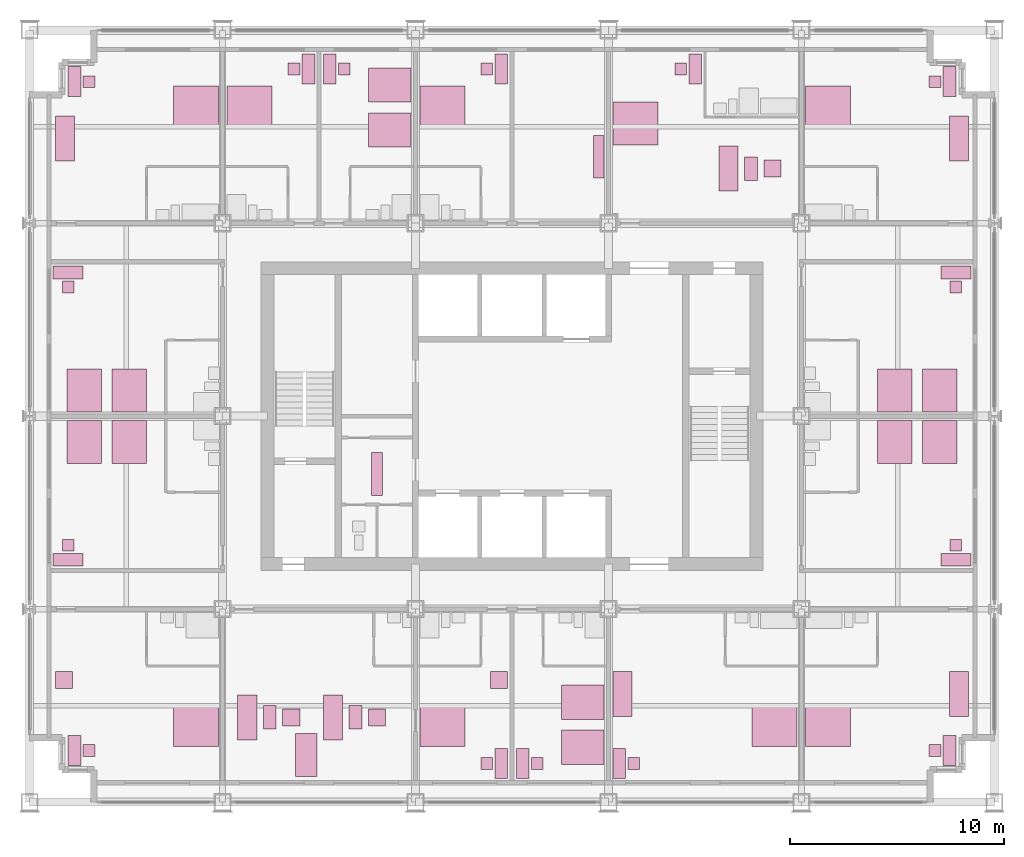
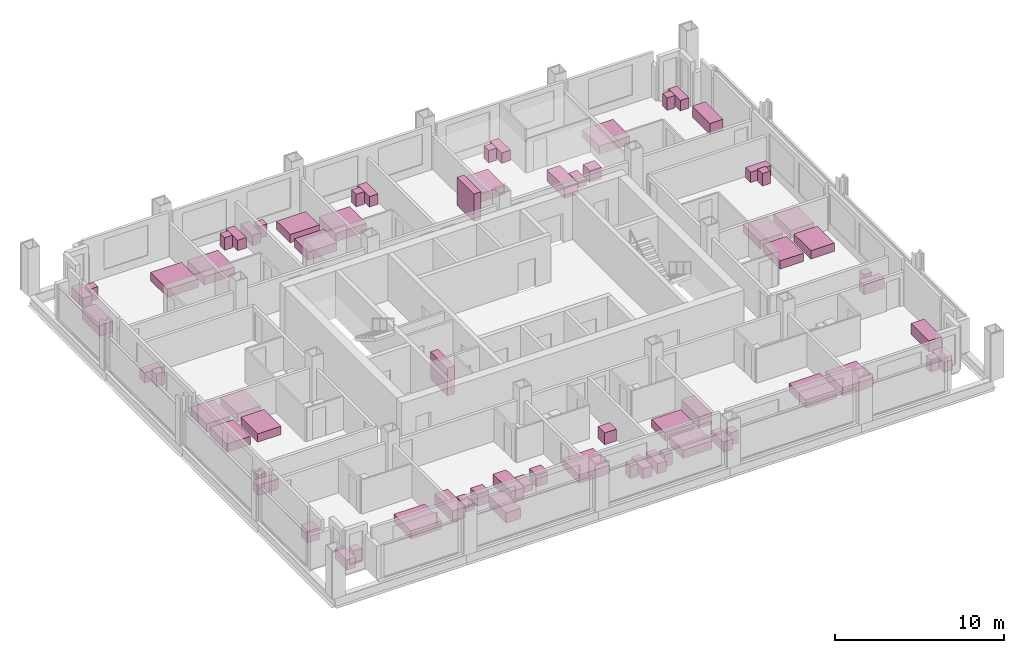
# One storey, part 16 of 16: 69 furniture elements.
"""IFC4 building model written with IfcOpenShell, lengths in metres."""

from ifc_helpers import new_model, si_unit, direction, frame, origin, origin_2d, place, context, subcontext, project, spatial, rectangle, extrude, element, save


model = new_model("IFC4")

# Units and contexts
model_context = context("Model", 3, precision=1e-05, world=origin(), true_north=direction((0.0, 1.0)))
body_context = subcontext(model_context, "Body", "Model", "MODEL_VIEW")
ifc_project = project(units=[si_unit("LENGTHUNIT", "METRE"), si_unit("AREAUNIT", "SQUARE_METRE"), si_unit("VOLUMEUNIT", "CUBIC_METRE"), si_unit("PLANEANGLEUNIT", "RADIAN"), si_unit("MASSUNIT", "GRAM", prefix="KILO")], contexts=[model_context])

# Site, building, storey
site_placement = place(None, origin())
site = spatial("IfcSite", under=ifc_project, at=site_placement, CompositionType="ELEMENT")
building_placement = place(site_placement, origin())
building = spatial("IfcBuilding", under=site, at=building_placement, Name="Loomwork Tower", CompositionType="ELEMENT")
storey_placement = place(building_placement, frame((0.0, 0.0, 135.0)))
storey = spatial("IfcBuildingStorey", under=building, at=storey_placement, Name="L36", CompositionType="ELEMENT", Elevation=135.0)

# Furniture
furniture_1_placement = place(storey_placement, frame((7.75, 3.60009765625, 0.0), z_axis=(0.0, 0.0, 1.0), x_axis=(1.0, 0.0, 0.0)))
element("IfcFurniture", 1, at=furniture_1_placement, inside=storey, Name="King bed L36", PredefinedType="BED", context=body_context, shape_type="SweptSolid", body=[
    extrude(rectangle(XDim=2.10009765625, YDim=2.0, at=origin_2d()), origin(), (0.0, 0.0, 1.0), 0.60009765625),
])
furniture_2_placement = place(storey_placement, frame((2.10009765625, 2.39990234375, 0.0), z_axis=(0.0, 0.0, 1.0), x_axis=(1.0, 0.0, 0.0)))
element("IfcFurniture", 2, at=furniture_2_placement, inside=storey, Name="Writing desk L36", PredefinedType="DESK", context=body_context, shape_type="SweptSolid", body=[
    extrude(rectangle(XDim=0.60009765625, YDim=1.39990234375, at=origin_2d()), origin(), (0.0, 0.0, 1.0), 0.75),
])
furniture_3_placement = place(storey_placement, frame((2.77490234375, 2.39990234375, 0.0), z_axis=(0.0, 0.0, 1.0), x_axis=(1.0, 0.0, 0.0)))
element("IfcFurniture", 3, at=furniture_3_placement, inside=storey, Name="Desk chair L36", PredefinedType="CHAIR", context=body_context, shape_type="SweptSolid", body=[
    extrude(rectangle(XDim=0.550048828125, YDim=0.550048828125, at=origin_2d()), origin(), (0.0, 0.0, 1.0), 0.89990234375),
])
furniture_4_placement = place(storey_placement, frame((1.60009765625, 5.699951171875, 0.0), z_axis=(0.0, 0.0, 1.0), x_axis=(1.0, 0.0, 0.0)))
element("IfcFurniture", 4, at=furniture_4_placement, inside=storey, Name="Lounge armchair L36", PredefinedType="CHAIR", context=body_context, shape_type="SweptSolid", body=[
    extrude(rectangle(XDim=0.800048828125, YDim=0.800048828125, at=origin_2d()), origin(), (0.0, 0.0, 1.0), 0.85009765625),
])
furniture_5_placement = place(storey_placement, frame((10.14990234375, 3.949951171875, 0.0), z_axis=(0.0, 0.0, 1.0), x_axis=(1.0, 0.0, 0.0)))
element("IfcFurniture", 5, at=furniture_5_placement, inside=storey, Name="Sofa L36", PredefinedType="SOFA", context=body_context, shape_type="SweptSolid", body=[
    extrude(rectangle(XDim=0.89990234375, YDim=2.10009765625, at=origin_2d()), origin(), (0.0, 0.0, 1.0), 0.800048828125),
])
furniture_6_placement = place(storey_placement, frame((11.199951171875, 3.949951171875, 0.0), z_axis=(0.0, 0.0, 1.0), x_axis=(1.0, 0.0, 0.0)))
element("IfcFurniture", 6, at=furniture_6_placement, inside=storey, Name="Coffee table L36", PredefinedType="TABLE", context=body_context, shape_type="SweptSolid", body=[
    extrude(rectangle(XDim=0.60009765625, YDim=1.10009765625, at=origin_2d()), origin(), (0.0, 0.0, 1.0), 0.449951171875),
])
furniture_7_placement = place(storey_placement, frame((12.199951171875, 3.949951171875, 0.0), z_axis=(0.0, 0.0, 1.0), x_axis=(1.0, 0.0, 0.0)))
element("IfcFurniture", 7, at=furniture_7_placement, inside=storey, Name="Lounge armchair L36", PredefinedType="CHAIR", context=body_context, shape_type="SweptSolid", body=[
    extrude(rectangle(XDim=0.800048828125, YDim=0.800048828125, at=origin_2d()), origin(), (0.0, 0.0, 1.0), 0.85009765625),
])
furniture_8_placement = place(storey_placement, frame((14.14990234375, 3.949951171875, 0.0), z_axis=(0.0, 0.0, 1.0), x_axis=(1.0, 0.0, 0.0)))
element("IfcFurniture", 8, at=furniture_8_placement, inside=storey, Name="Sofa L36", PredefinedType="SOFA", context=body_context, shape_type="SweptSolid", body=[
    extrude(rectangle(XDim=0.89990234375, YDim=2.10009765625, at=origin_2d()), origin(), (0.0, 0.0, 1.0), 0.800048828125),
])
furniture_9_placement = place(storey_placement, frame((15.199951171875, 3.949951171875, 0.0), z_axis=(0.0, 0.0, 1.0), x_axis=(1.0, 0.0, 0.0)))
element("IfcFurniture", 9, at=furniture_9_placement, inside=storey, Name="Coffee table L36", PredefinedType="TABLE", context=body_context, shape_type="SweptSolid", body=[
    extrude(rectangle(XDim=0.60009765625, YDim=1.10009765625, at=origin_2d()), origin(), (0.0, 0.0, 1.0), 0.449951171875),
])
furniture_10_placement = place(storey_placement, frame((16.199951171875, 3.949951171875, 0.0), z_axis=(0.0, 0.0, 1.0), x_axis=(1.0, 0.0, 0.0)))
element("IfcFurniture", 10, at=furniture_10_placement, inside=storey, Name="Lounge armchair L36", PredefinedType="CHAIR", context=body_context, shape_type="SweptSolid", body=[
    extrude(rectangle(XDim=0.800048828125, YDim=0.800048828125, at=origin_2d()), origin(), (0.0, 0.0, 1.0), 0.85009765625),
])
furniture_11_placement = place(storey_placement, frame((12.89990234375, 2.199951171875, 0.0), z_axis=(0.0, 0.0, 1.0), x_axis=(1.0, 0.0, 0.0)))
element("IfcFurniture", 11, at=furniture_11_placement, inside=storey, Name="Dining table L36", PredefinedType="TABLE", context=body_context, shape_type="SweptSolid", body=[
    extrude(rectangle(XDim=1.0, YDim=2.0, at=origin_2d()), origin(), (0.0, 0.0, 1.0), 0.75),
])
furniture_12_placement = place(storey_placement, frame((19.25, 3.60009765625, 0.0), z_axis=(0.0, 0.0, 1.0), x_axis=(1.0, 0.0, 0.0)))
element("IfcFurniture", 12, at=furniture_12_placement, inside=storey, Name="King bed L36", PredefinedType="BED", context=body_context, shape_type="SweptSolid", body=[
    extrude(rectangle(XDim=2.10009765625, YDim=2.0, at=origin_2d()), origin(), (0.0, 0.0, 1.0), 0.60009765625),
])
furniture_13_placement = place(storey_placement, frame((22.0, 1.800048828125, 0.0), z_axis=(0.0, 0.0, 1.0), x_axis=(1.0, 0.0, 0.0)))
element("IfcFurniture", 13, at=furniture_13_placement, inside=storey, Name="Writing desk L36", PredefinedType="DESK", context=body_context, shape_type="SweptSolid", body=[
    extrude(rectangle(XDim=0.60009765625, YDim=1.39990234375, at=origin_2d()), origin(), (0.0, 0.0, 1.0), 0.75),
])
furniture_14_placement = place(storey_placement, frame((21.324951171875, 1.800048828125, 0.0), z_axis=(0.0, 0.0, 1.0), x_axis=(1.0, 0.0, 0.0)))
element("IfcFurniture", 14, at=furniture_14_placement, inside=storey, Name="Desk chair L36", PredefinedType="CHAIR", context=body_context, shape_type="SweptSolid", body=[
    extrude(rectangle(XDim=0.550048828125, YDim=0.550048828125, at=origin_2d()), origin(), (0.0, 0.0, 1.0), 0.89990234375),
])
furniture_15_placement = place(storey_placement, frame((21.89990234375, 5.699951171875, 0.0), z_axis=(0.0, 0.0, 1.0), x_axis=(1.0, 0.0, 0.0)))
element("IfcFurniture", 15, at=furniture_15_placement, inside=storey, Name="Lounge armchair L36", PredefinedType="CHAIR", context=body_context, shape_type="SweptSolid", body=[
    extrude(rectangle(XDim=0.800048828125, YDim=0.800048828125, at=origin_2d()), origin(), (0.0, 0.0, 1.0), 0.85009765625),
])
for number, where, z_axis, x_axis, name in (
    (16, (25.800048828125, 4.64990234375, 0.0), (0.0, 0.0, 1.0), (1.0, 0.0, 0.0), "Queen bed L36"),
    (17, (25.800048828125, 2.550048828125, 0.0), (0.0, 0.0, 1.0), (1.0, 0.0, 0.0), "Queen bed L36"),
):
    element("IfcFurniture", number, at=place(storey_placement, frame(where, z_axis=z_axis, x_axis=x_axis)), inside=storey, Name=name, PredefinedType="BED", context=body_context, shape_type="SweptSolid", body=[
        extrude(rectangle(XDim=2.0, YDim=1.60009765625, at=origin_2d()), origin(), (0.0, 0.0, 1.0), 0.60009765625),
    ])
furniture_16_placement = place(storey_placement, frame((23.0, 1.800048828125, 0.0), z_axis=(0.0, 0.0, 1.0), x_axis=(1.0, 0.0, 0.0)))
element("IfcFurniture", 18, at=furniture_16_placement, inside=storey, Name="Writing desk L36", PredefinedType="DESK", context=body_context, shape_type="SweptSolid", body=[
    extrude(rectangle(XDim=0.60009765625, YDim=1.39990234375, at=origin_2d()), origin(), (0.0, 0.0, 1.0), 0.75),
])
furniture_17_placement = place(storey_placement, frame((23.675048828125, 1.800048828125, 0.0), z_axis=(0.0, 0.0, 1.0), x_axis=(1.0, 0.0, 0.0)))
element("IfcFurniture", 19, at=furniture_17_placement, inside=storey, Name="Desk chair L36", PredefinedType="CHAIR", context=body_context, shape_type="SweptSolid", body=[
    extrude(rectangle(XDim=0.550048828125, YDim=0.550048828125, at=origin_2d()), origin(), (0.0, 0.0, 1.0), 0.89990234375),
])
furniture_18_placement = place(storey_placement, frame((34.75, 3.60009765625, 0.0), z_axis=(0.0, 0.0, 1.0), x_axis=(1.0, 0.0, 0.0)))
element("IfcFurniture", 20, at=furniture_18_placement, inside=storey, Name="King bed L36", PredefinedType="BED", context=body_context, shape_type="SweptSolid", body=[
    extrude(rectangle(XDim=2.10009765625, YDim=2.0, at=origin_2d()), origin(), (0.0, 0.0, 1.0), 0.60009765625),
])
furniture_19_placement = place(storey_placement, frame((27.5, 1.800048828125, 0.0), z_axis=(0.0, 0.0, 1.0), x_axis=(1.0, 0.0, 0.0)))
element("IfcFurniture", 21, at=furniture_19_placement, inside=storey, Name="Writing desk L36", PredefinedType="DESK", context=body_context, shape_type="SweptSolid", body=[
    extrude(rectangle(XDim=0.60009765625, YDim=1.39990234375, at=origin_2d()), origin(), (0.0, 0.0, 1.0), 0.75),
])
furniture_20_placement = place(storey_placement, frame((28.175048828125, 1.800048828125, 0.0), z_axis=(0.0, 0.0, 1.0), x_axis=(1.0, 0.0, 0.0)))
element("IfcFurniture", 22, at=furniture_20_placement, inside=storey, Name="Desk chair L36", PredefinedType="CHAIR", context=body_context, shape_type="SweptSolid", body=[
    extrude(rectangle(XDim=0.550048828125, YDim=0.550048828125, at=origin_2d()), origin(), (0.0, 0.0, 1.0), 0.89990234375),
])
furniture_21_placement = place(storey_placement, frame((27.64990234375, 5.050048828125, 0.0), z_axis=(0.0, 0.0, 1.0), x_axis=(1.0, 0.0, 0.0)))
element("IfcFurniture", 23, at=furniture_21_placement, inside=storey, Name="Sofa L36", PredefinedType="SOFA", context=body_context, shape_type="SweptSolid", body=[
    extrude(rectangle(XDim=0.89990234375, YDim=2.10009765625, at=origin_2d()), origin(), (0.0, 0.0, 1.0), 0.800048828125),
])
furniture_22_placement = place(storey_placement, frame((37.25, 3.60009765625, 0.0), z_axis=(0.0, 0.0, 1.0), x_axis=(1.0, 0.0, 0.0)))
element("IfcFurniture", 24, at=furniture_22_placement, inside=storey, Name="King bed L36", PredefinedType="BED", context=body_context, shape_type="SweptSolid", body=[
    extrude(rectangle(XDim=2.10009765625, YDim=2.0, at=origin_2d()), origin(), (0.0, 0.0, 1.0), 0.60009765625),
])
furniture_23_placement = place(storey_placement, frame((42.89990234375, 2.39990234375, 0.0), z_axis=(0.0, 0.0, 1.0), x_axis=(1.0, 0.0, 0.0)))
element("IfcFurniture", 25, at=furniture_23_placement, inside=storey, Name="Writing desk L36", PredefinedType="DESK", context=body_context, shape_type="SweptSolid", body=[
    extrude(rectangle(XDim=0.60009765625, YDim=1.39990234375, at=origin_2d()), origin(), (0.0, 0.0, 1.0), 0.75),
])
furniture_24_placement = place(storey_placement, frame((42.22509765625, 2.39990234375, 0.0), z_axis=(0.0, 0.0, 1.0), x_axis=(1.0, 0.0, 0.0)))
element("IfcFurniture", 26, at=furniture_24_placement, inside=storey, Name="Desk chair L36", PredefinedType="CHAIR", context=body_context, shape_type="SweptSolid", body=[
    extrude(rectangle(XDim=0.550048828125, YDim=0.550048828125, at=origin_2d()), origin(), (0.0, 0.0, 1.0), 0.89990234375),
])
furniture_25_placement = place(storey_placement, frame((43.35009765625, 5.050048828125, 0.0), z_axis=(0.0, 0.0, 1.0), x_axis=(1.0, 0.0, 0.0)))
element("IfcFurniture", 27, at=furniture_25_placement, inside=storey, Name="Sofa L36", PredefinedType="SOFA", context=body_context, shape_type="SweptSolid", body=[
    extrude(rectangle(XDim=0.89990234375, YDim=2.10009765625, at=origin_2d()), origin(), (0.0, 0.0, 1.0), 0.800048828125),
])
furniture_26_placement = place(storey_placement, frame((7.75, 32.39990234375, 0.0), z_axis=(0.0, 0.0, 1.0), x_axis=(1.0, 0.0, 0.0)))
element("IfcFurniture", 28, at=furniture_26_placement, inside=storey, Name="King bed L36", PredefinedType="BED", context=body_context, shape_type="SweptSolid", body=[
    extrude(rectangle(XDim=2.10009765625, YDim=2.0, at=origin_2d()), origin(), (0.0, 0.0, 1.0), 0.60009765625),
])
furniture_27_placement = place(storey_placement, frame((2.10009765625, 33.60009765625, 0.0), z_axis=(0.0, 0.0, 1.0), x_axis=(1.0, 0.0, 0.0)))
element("IfcFurniture", 29, at=furniture_27_placement, inside=storey, Name="Writing desk L36", PredefinedType="DESK", context=body_context, shape_type="SweptSolid", body=[
    extrude(rectangle(XDim=0.60009765625, YDim=1.39990234375, at=origin_2d()), origin(), (0.0, 0.0, 1.0), 0.75),
])
furniture_28_placement = place(storey_placement, frame((2.77490234375, 33.60009765625, 0.0), z_axis=(0.0, 0.0, 1.0), x_axis=(1.0, 0.0, 0.0)))
element("IfcFurniture", 30, at=furniture_28_placement, inside=storey, Name="Desk chair L36", PredefinedType="CHAIR", context=body_context, shape_type="SweptSolid", body=[
    extrude(rectangle(XDim=0.550048828125, YDim=0.550048828125, at=origin_2d()), origin(), (0.0, 0.0, 1.0), 0.89990234375),
])
furniture_29_placement = place(storey_placement, frame((1.64990234375, 30.949951171875, 0.0), z_axis=(0.0, 0.0, 1.0), x_axis=(1.0, 0.0, 0.0)))
element("IfcFurniture", 31, at=furniture_29_placement, inside=storey, Name="Sofa L36", PredefinedType="SOFA", context=body_context, shape_type="SweptSolid", body=[
    extrude(rectangle(XDim=0.89990234375, YDim=2.10009765625, at=origin_2d()), origin(), (0.0, 0.0, 1.0), 0.800048828125),
])
furniture_30_placement = place(storey_placement, frame((10.25, 32.39990234375, 0.0), z_axis=(0.0, 0.0, 1.0), x_axis=(1.0, 0.0, 0.0)))
element("IfcFurniture", 32, at=furniture_30_placement, inside=storey, Name="King bed L36", PredefinedType="BED", context=body_context, shape_type="SweptSolid", body=[
    extrude(rectangle(XDim=2.10009765625, YDim=2.0, at=origin_2d()), origin(), (0.0, 0.0, 1.0), 0.60009765625),
])
furniture_31_placement = place(storey_placement, frame((13.0, 34.199951171875, 0.0), z_axis=(0.0, 0.0, 1.0), x_axis=(1.0, 0.0, 0.0)))
element("IfcFurniture", 33, at=furniture_31_placement, inside=storey, Name="Writing desk L36", PredefinedType="DESK", context=body_context, shape_type="SweptSolid", body=[
    extrude(rectangle(XDim=0.60009765625, YDim=1.39990234375, at=origin_2d()), origin(), (0.0, 0.0, 1.0), 0.75),
])
furniture_32_placement = place(storey_placement, frame((12.324951171875, 34.199951171875, 0.0), z_axis=(0.0, 0.0, 1.0), x_axis=(1.0, 0.0, 0.0)))
element("IfcFurniture", 34, at=furniture_32_placement, inside=storey, Name="Desk chair L36", PredefinedType="CHAIR", context=body_context, shape_type="SweptSolid", body=[
    extrude(rectangle(XDim=0.550048828125, YDim=0.550048828125, at=origin_2d()), origin(), (0.0, 0.0, 1.0), 0.89990234375),
])
for number, where, z_axis, x_axis, name in (
    (35, (16.800048828125, 31.35009765625, 0.0), (0.0, 0.0, 1.0), (1.0, 0.0, 0.0), "Queen bed L36"),
    (36, (16.800048828125, 33.449951171875, 0.0), (0.0, 0.0, 1.0), (1.0, 0.0, 0.0), "Queen bed L36"),
):
    element("IfcFurniture", number, at=place(storey_placement, frame(where, z_axis=z_axis, x_axis=x_axis)), inside=storey, Name=name, PredefinedType="BED", context=body_context, shape_type="SweptSolid", body=[
        extrude(rectangle(XDim=2.0, YDim=1.60009765625, at=origin_2d()), origin(), (0.0, 0.0, 1.0), 0.60009765625),
    ])
furniture_33_placement = place(storey_placement, frame((14.0, 34.199951171875, 0.0), z_axis=(0.0, 0.0, 1.0), x_axis=(1.0, 0.0, 0.0)))
element("IfcFurniture", 37, at=furniture_33_placement, inside=storey, Name="Writing desk L36", PredefinedType="DESK", context=body_context, shape_type="SweptSolid", body=[
    extrude(rectangle(XDim=0.60009765625, YDim=1.39990234375, at=origin_2d()), origin(), (0.0, 0.0, 1.0), 0.75),
])
furniture_34_placement = place(storey_placement, frame((14.675048828125, 34.199951171875, 0.0), z_axis=(0.0, 0.0, 1.0), x_axis=(1.0, 0.0, 0.0)))
element("IfcFurniture", 38, at=furniture_34_placement, inside=storey, Name="Desk chair L36", PredefinedType="CHAIR", context=body_context, shape_type="SweptSolid", body=[
    extrude(rectangle(XDim=0.550048828125, YDim=0.550048828125, at=origin_2d()), origin(), (0.0, 0.0, 1.0), 0.89990234375),
])
furniture_35_placement = place(storey_placement, frame((19.25, 32.39990234375, 0.0), z_axis=(0.0, 0.0, 1.0), x_axis=(1.0, 0.0, 0.0)))
element("IfcFurniture", 39, at=furniture_35_placement, inside=storey, Name="King bed L36", PredefinedType="BED", context=body_context, shape_type="SweptSolid", body=[
    extrude(rectangle(XDim=2.10009765625, YDim=2.0, at=origin_2d()), origin(), (0.0, 0.0, 1.0), 0.60009765625),
])
furniture_36_placement = place(storey_placement, frame((22.0, 34.199951171875, 0.0), z_axis=(0.0, 0.0, 1.0), x_axis=(1.0, 0.0, 0.0)))
element("IfcFurniture", 40, at=furniture_36_placement, inside=storey, Name="Writing desk L36", PredefinedType="DESK", context=body_context, shape_type="SweptSolid", body=[
    extrude(rectangle(XDim=0.60009765625, YDim=1.39990234375, at=origin_2d()), origin(), (0.0, 0.0, 1.0), 0.75),
])
furniture_37_placement = place(storey_placement, frame((21.324951171875, 34.199951171875, 0.0), z_axis=(0.0, 0.0, 1.0), x_axis=(1.0, 0.0, 0.0)))
element("IfcFurniture", 41, at=furniture_37_placement, inside=storey, Name="Desk chair L36", PredefinedType="CHAIR", context=body_context, shape_type="SweptSolid", body=[
    extrude(rectangle(XDim=0.550048828125, YDim=0.550048828125, at=origin_2d()), origin(), (0.0, 0.0, 1.0), 0.89990234375),
])
furniture_38_placement = place(storey_placement, frame((26.550048828125, 30.10009765625, 0.0), z_axis=(0.0, 0.0, 1.0), x_axis=(1.0, 0.0, 0.0)))
element("IfcFurniture", 42, at=furniture_38_placement, inside=storey, Name="Linen shelving L36", PredefinedType="SHELF", context=body_context, shape_type="SweptSolid", body=[
    extrude(rectangle(XDim=0.5, YDim=2.0, at=origin_2d()), origin(), (0.0, 0.0, 1.0), 2.0),
])
furniture_39_placement = place(storey_placement, frame((28.25, 31.64990234375, 0.0), z_axis=(0.0, 0.0, 1.0), x_axis=(1.0, 0.0, 0.0)))
element("IfcFurniture", 43, at=furniture_39_placement, inside=storey, Name="King bed L36", PredefinedType="BED", context=body_context, shape_type="SweptSolid", body=[
    extrude(rectangle(XDim=2.10009765625, YDim=2.0, at=origin_2d()), origin(), (0.0, 0.0, 1.0), 0.60009765625),
])
furniture_40_placement = place(storey_placement, frame((31.050048828125, 34.199951171875, 0.0), z_axis=(0.0, 0.0, 1.0), x_axis=(1.0, 0.0, 0.0)))
element("IfcFurniture", 44, at=furniture_40_placement, inside=storey, Name="Writing desk L36", PredefinedType="DESK", context=body_context, shape_type="SweptSolid", body=[
    extrude(rectangle(XDim=0.60009765625, YDim=1.39990234375, at=origin_2d()), origin(), (0.0, 0.0, 1.0), 0.75),
])
furniture_41_placement = place(storey_placement, frame((30.375, 34.199951171875, 0.0), z_axis=(0.0, 0.0, 1.0), x_axis=(1.0, 0.0, 0.0)))
element("IfcFurniture", 45, at=furniture_41_placement, inside=storey, Name="Desk chair L36", PredefinedType="CHAIR", context=body_context, shape_type="SweptSolid", body=[
    extrude(rectangle(XDim=0.550048828125, YDim=0.550048828125, at=origin_2d()), origin(), (0.0, 0.0, 1.0), 0.89990234375),
])
furniture_42_placement = place(storey_placement, frame((32.60009765625, 29.550048828125, 0.0), z_axis=(0.0, 0.0, 1.0), x_axis=(1.0, 0.0, 0.0)))
element("IfcFurniture", 46, at=furniture_42_placement, inside=storey, Name="Sofa L36", PredefinedType="SOFA", context=body_context, shape_type="SweptSolid", body=[
    extrude(rectangle(XDim=0.89990234375, YDim=2.10009765625, at=origin_2d()), origin(), (0.0, 0.0, 1.0), 0.800048828125),
])
furniture_43_placement = place(storey_placement, frame((33.64990234375, 29.550048828125, 0.0), z_axis=(0.0, 0.0, 1.0), x_axis=(1.0, 0.0, 0.0)))
element("IfcFurniture", 47, at=furniture_43_placement, inside=storey, Name="Coffee table L36", PredefinedType="TABLE", context=body_context, shape_type="SweptSolid", body=[
    extrude(rectangle(XDim=0.60009765625, YDim=1.10009765625, at=origin_2d()), origin(), (0.0, 0.0, 1.0), 0.449951171875),
])
furniture_44_placement = place(storey_placement, frame((34.64990234375, 29.550048828125, 0.0), z_axis=(0.0, 0.0, 1.0), x_axis=(1.0, 0.0, 0.0)))
element("IfcFurniture", 48, at=furniture_44_placement, inside=storey, Name="Lounge armchair L36", PredefinedType="CHAIR", context=body_context, shape_type="SweptSolid", body=[
    extrude(rectangle(XDim=0.800048828125, YDim=0.800048828125, at=origin_2d()), origin(), (0.0, 0.0, 1.0), 0.85009765625),
])
furniture_45_placement = place(storey_placement, frame((37.25, 32.39990234375, 0.0), z_axis=(0.0, 0.0, 1.0), x_axis=(1.0, 0.0, 0.0)))
element("IfcFurniture", 49, at=furniture_45_placement, inside=storey, Name="King bed L36", PredefinedType="BED", context=body_context, shape_type="SweptSolid", body=[
    extrude(rectangle(XDim=2.10009765625, YDim=2.0, at=origin_2d()), origin(), (0.0, 0.0, 1.0), 0.60009765625),
])
furniture_46_placement = place(storey_placement, frame((42.89990234375, 33.60009765625, 0.0), z_axis=(0.0, 0.0, 1.0), x_axis=(1.0, 0.0, 0.0)))
element("IfcFurniture", 50, at=furniture_46_placement, inside=storey, Name="Writing desk L36", PredefinedType="DESK", context=body_context, shape_type="SweptSolid", body=[
    extrude(rectangle(XDim=0.60009765625, YDim=1.39990234375, at=origin_2d()), origin(), (0.0, 0.0, 1.0), 0.75),
])
furniture_47_placement = place(storey_placement, frame((42.22509765625, 33.60009765625, 0.0), z_axis=(0.0, 0.0, 1.0), x_axis=(1.0, 0.0, 0.0)))
element("IfcFurniture", 51, at=furniture_47_placement, inside=storey, Name="Desk chair L36", PredefinedType="CHAIR", context=body_context, shape_type="SweptSolid", body=[
    extrude(rectangle(XDim=0.550048828125, YDim=0.550048828125, at=origin_2d()), origin(), (0.0, 0.0, 1.0), 0.89990234375),
])
furniture_48_placement = place(storey_placement, frame((43.35009765625, 30.949951171875, 0.0), z_axis=(0.0, 0.0, 1.0), x_axis=(1.0, 0.0, 0.0)))
element("IfcFurniture", 52, at=furniture_48_placement, inside=storey, Name="Sofa L36", PredefinedType="SOFA", context=body_context, shape_type="SweptSolid", body=[
    extrude(rectangle(XDim=0.89990234375, YDim=2.10009765625, at=origin_2d()), origin(), (0.0, 0.0, 1.0), 0.800048828125),
])
for number, where, z_axis, x_axis, name in (
    (53, (4.64990234375, 16.800048828125, 0.0), (0.0, 0.0, 1.0), (1.0, 0.0, 0.0), "Queen bed L36"),
    (54, (2.550048828125, 16.800048828125, 0.0), (0.0, 0.0, 1.0), (1.0, 0.0, 0.0), "Queen bed L36"),
):
    element("IfcFurniture", number, at=place(storey_placement, frame(where, z_axis=z_axis, x_axis=x_axis)), inside=storey, Name=name, PredefinedType="BED", context=body_context, shape_type="SweptSolid", body=[
        extrude(rectangle(XDim=1.60009765625, YDim=2.0, at=origin_2d()), origin(), (0.0, 0.0, 1.0), 0.60009765625),
    ])
furniture_49_placement = place(storey_placement, frame((1.800048828125, 11.300048828125, 0.0), z_axis=(0.0, 0.0, 1.0), x_axis=(1.0, 0.0, 0.0)))
element("IfcFurniture", 55, at=furniture_49_placement, inside=storey, Name="Writing desk L36", PredefinedType="DESK", context=body_context, shape_type="SweptSolid", body=[
    extrude(rectangle(XDim=1.39990234375, YDim=0.60009765625, at=origin_2d()), origin(), (0.0, 0.0, 1.0), 0.75),
])
furniture_50_placement = place(storey_placement, frame((1.800048828125, 11.97509765625, 0.0), z_axis=(0.0, 0.0, 1.0), x_axis=(1.0, 0.0, 0.0)))
element("IfcFurniture", 56, at=furniture_50_placement, inside=storey, Name="Desk chair L36", PredefinedType="CHAIR", context=body_context, shape_type="SweptSolid", body=[
    extrude(rectangle(XDim=0.550048828125, YDim=0.550048828125, at=origin_2d()), origin(), (0.0, 0.0, 1.0), 0.89990234375),
])
for number, where, z_axis, x_axis, name in (
    (57, (4.64990234375, 19.199951171875, 0.0), (0.0, 0.0, 1.0), (1.0, 0.0, 0.0), "Queen bed L36"),
    (58, (2.550048828125, 19.199951171875, 0.0), (0.0, 0.0, 1.0), (1.0, 0.0, 0.0), "Queen bed L36"),
):
    element("IfcFurniture", number, at=place(storey_placement, frame(where, z_axis=z_axis, x_axis=x_axis)), inside=storey, Name=name, PredefinedType="BED", context=body_context, shape_type="SweptSolid", body=[
        extrude(rectangle(XDim=1.60009765625, YDim=2.0, at=origin_2d()), origin(), (0.0, 0.0, 1.0), 0.60009765625),
    ])
furniture_51_placement = place(storey_placement, frame((1.800048828125, 24.699951171875, 0.0), z_axis=(0.0, 0.0, 1.0), x_axis=(1.0, 0.0, 0.0)))
element("IfcFurniture", 59, at=furniture_51_placement, inside=storey, Name="Writing desk L36", PredefinedType="DESK", context=body_context, shape_type="SweptSolid", body=[
    extrude(rectangle(XDim=1.39990234375, YDim=0.60009765625, at=origin_2d()), origin(), (0.0, 0.0, 1.0), 0.75),
])
furniture_52_placement = place(storey_placement, frame((1.800048828125, 24.02490234375, 0.0), z_axis=(0.0, 0.0, 1.0), x_axis=(1.0, 0.0, 0.0)))
element("IfcFurniture", 60, at=furniture_52_placement, inside=storey, Name="Desk chair L36", PredefinedType="CHAIR", context=body_context, shape_type="SweptSolid", body=[
    extrude(rectangle(XDim=0.550048828125, YDim=0.550048828125, at=origin_2d()), origin(), (0.0, 0.0, 1.0), 0.89990234375),
])
for number, where, z_axis, x_axis, name in (
    (61, (40.35009765625, 16.800048828125, 0.0), (0.0, 0.0, 1.0), (1.0, 0.0, 0.0), "Queen bed L36"),
    (62, (42.449951171875, 16.800048828125, 0.0), (0.0, 0.0, 1.0), (1.0, 0.0, 0.0), "Queen bed L36"),
):
    element("IfcFurniture", number, at=place(storey_placement, frame(where, z_axis=z_axis, x_axis=x_axis)), inside=storey, Name=name, PredefinedType="BED", context=body_context, shape_type="SweptSolid", body=[
        extrude(rectangle(XDim=1.60009765625, YDim=2.0, at=origin_2d()), origin(), (0.0, 0.0, 1.0), 0.60009765625),
    ])
furniture_53_placement = place(storey_placement, frame((43.199951171875, 11.300048828125, 0.0), z_axis=(0.0, 0.0, 1.0), x_axis=(1.0, 0.0, 0.0)))
element("IfcFurniture", 63, at=furniture_53_placement, inside=storey, Name="Writing desk L36", PredefinedType="DESK", context=body_context, shape_type="SweptSolid", body=[
    extrude(rectangle(XDim=1.39990234375, YDim=0.60009765625, at=origin_2d()), origin(), (0.0, 0.0, 1.0), 0.75),
])
furniture_54_placement = place(storey_placement, frame((43.199951171875, 11.97509765625, 0.0), z_axis=(0.0, 0.0, 1.0), x_axis=(1.0, 0.0, 0.0)))
element("IfcFurniture", 64, at=furniture_54_placement, inside=storey, Name="Desk chair L36", PredefinedType="CHAIR", context=body_context, shape_type="SweptSolid", body=[
    extrude(rectangle(XDim=0.550048828125, YDim=0.550048828125, at=origin_2d()), origin(), (0.0, 0.0, 1.0), 0.89990234375),
])
for number, where, z_axis, x_axis, name in (
    (65, (40.35009765625, 19.199951171875, 0.0), (0.0, 0.0, 1.0), (1.0, 0.0, 0.0), "Queen bed L36"),
    (66, (42.449951171875, 19.199951171875, 0.0), (0.0, 0.0, 1.0), (1.0, 0.0, 0.0), "Queen bed L36"),
):
    element("IfcFurniture", number, at=place(storey_placement, frame(where, z_axis=z_axis, x_axis=x_axis)), inside=storey, Name=name, PredefinedType="BED", context=body_context, shape_type="SweptSolid", body=[
        extrude(rectangle(XDim=1.60009765625, YDim=2.0, at=origin_2d()), origin(), (0.0, 0.0, 1.0), 0.60009765625),
    ])
furniture_55_placement = place(storey_placement, frame((43.199951171875, 24.699951171875, 0.0), z_axis=(0.0, 0.0, 1.0), x_axis=(1.0, 0.0, 0.0)))
element("IfcFurniture", 67, at=furniture_55_placement, inside=storey, Name="Writing desk L36", PredefinedType="DESK", context=body_context, shape_type="SweptSolid", body=[
    extrude(rectangle(XDim=1.39990234375, YDim=0.60009765625, at=origin_2d()), origin(), (0.0, 0.0, 1.0), 0.75),
])
furniture_56_placement = place(storey_placement, frame((43.199951171875, 24.02490234375, 0.0), z_axis=(0.0, 0.0, 1.0), x_axis=(1.0, 0.0, 0.0)))
element("IfcFurniture", 68, at=furniture_56_placement, inside=storey, Name="Desk chair L36", PredefinedType="CHAIR", context=body_context, shape_type="SweptSolid", body=[
    extrude(rectangle(XDim=0.550048828125, YDim=0.550048828125, at=origin_2d()), origin(), (0.0, 0.0, 1.0), 0.89990234375),
])
furniture_57_placement = place(storey_placement, frame((16.199951171875, 15.300048828125, 0.0), z_axis=(0.0, 0.0, 1.0), x_axis=(1.0, 0.0, 0.0)))
element("IfcFurniture", 69, at=furniture_57_placement, inside=storey, Name="Linen shelving L36", PredefinedType="SHELF", context=body_context, shape_type="SweptSolid", body=[
    extrude(rectangle(XDim=0.5, YDim=2.0, at=origin_2d()), origin(), (0.0, 0.0, 1.0), 2.0),
])

save(model, "model.ifc")
